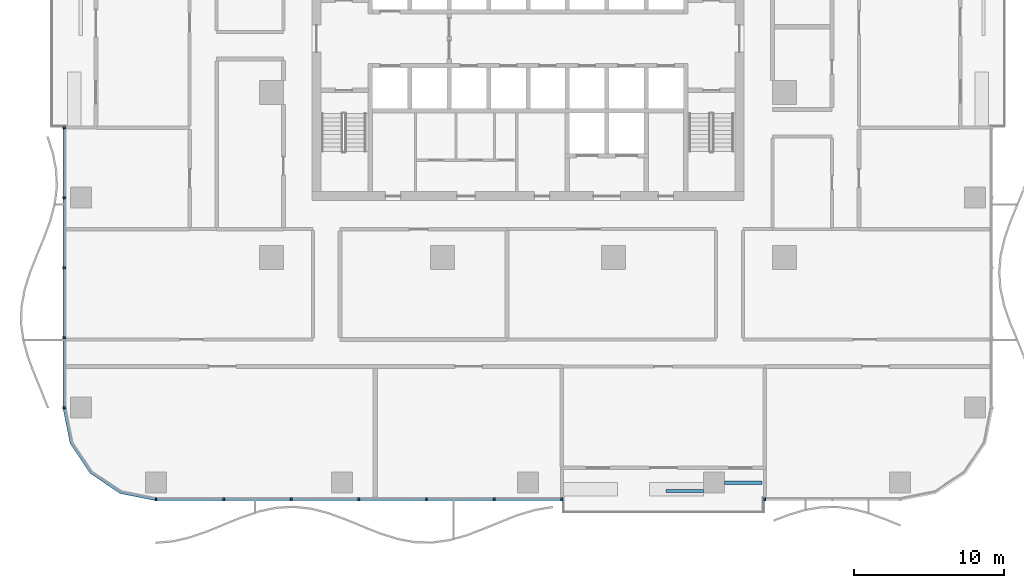
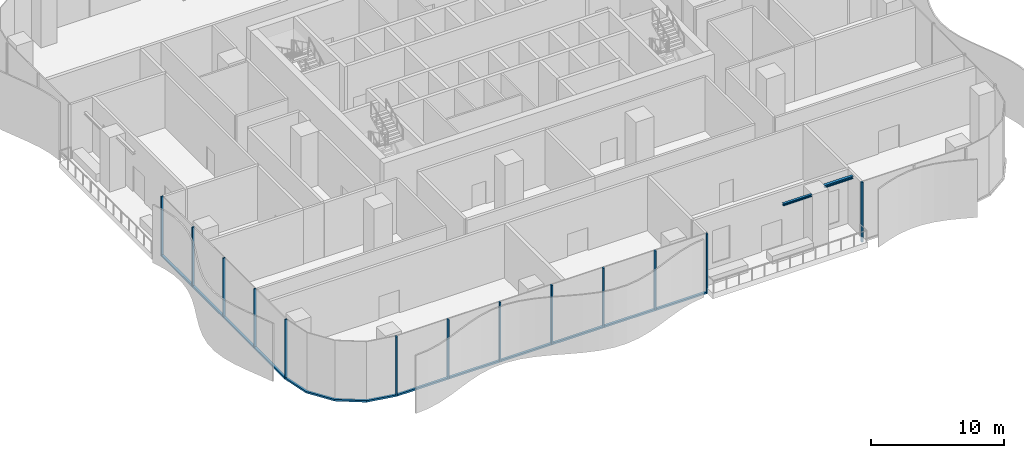
# One storey, part 2 of 20: 24 members, 2 beams, 4 elements without a shape of their own.
"""IFC4 building model written with IfcOpenShell, lengths in metres."""

from ifc_helpers import new_model, si_unit, direction, frame, origin, origin_2d, place, context, subcontext, project, spatial, polyline, rectangle, i_section, outline, extrude, material, material_profile, profile_set, type_object, element, aggregate, save


model = new_model("IFC4")

# Units and contexts
model_context = context("Model", 3, precision=1e-05, world=origin(), true_north=direction((0.0, 1.0)))
body_context = subcontext(model_context, "Body", "Model", "MODEL_VIEW")
ifc_project = project(units=[si_unit("LENGTHUNIT", "METRE"), si_unit("AREAUNIT", "SQUARE_METRE"), si_unit("VOLUMEUNIT", "CUBIC_METRE"), si_unit("PLANEANGLEUNIT", "RADIAN"), si_unit("MASSUNIT", "GRAM", prefix="KILO")], contexts=[model_context])

# Site, building, storey
site_placement = place(None, origin())
site = spatial("IfcSite", under=ifc_project, at=site_placement, CompositionType="ELEMENT")
building_placement = place(site_placement, origin())
building = spatial("IfcBuilding", under=site, at=building_placement, Name="Mopane Tessera Tower", CompositionType="ELEMENT")
storey_placement = place(building_placement, frame((0.0, 0.0, 14.5)))
storey = spatial("IfcBuildingStorey", under=building, at=storey_placement, Name="L02", CompositionType="ELEMENT", Elevation=14.5)

# Curtain wall, members
ifc_material_1 = material(Name="Aluminium frame", Category="aluminium")
curtain_wall_type = type_object("IfcCurtainWallType", Name="Podium unitised wall", PredefinedType="NOTDEFINED", material=ifc_material_1)
curtain_wall_1_placement = place(storey_placement, origin())
curtain_wall_1 = element("IfcCurtainWall", 1, at=curtain_wall_1_placement, inside=storey, type_object=curtain_wall_type, Name="e:cw:L02:S:0", PredefinedType="NOTDEFINED")
ifc_material_2 = material(Name="Aluminium frame", Category="aluminium")
ifc_material_profile_1 = material_profile(ifc_material_2, rectangle(XDim=0.125, YDim=0.199951171875, at=origin_2d()))
ifc_profile_set_1 = profile_set([ifc_material_profile_1], Name="Aluminium frame")
member_type_1 = type_object("IfcMemberType", Name="Aluminium mullion 125 x 200", PredefinedType="MULLION", material=ifc_profile_set_1)
member_1_placement = place(storey_placement, frame((-24.800048828125, -27.10009765625, -0.5), z_axis=(0.0, 0.0, 1.0), x_axis=(1.0, 0.0, 0.0)))
member_1 = element("IfcMember", 2, at=member_1_placement, type_object=member_type_1, Name="e:cw:L02:S:0:mu0", PredefinedType="MULLION", context=body_context, shape_type="SweptSolid", body=[
    extrude(rectangle(XDim=0.125, YDim=0.199951171875, at=origin_2d()), origin(), (0.0, 0.0, 1.0), 5.5),
])
member_2_placement = place(storey_placement, frame((-20.291015625, -27.10009765625, -0.5), z_axis=(0.0, 0.0, 1.0), x_axis=(1.0, 0.0, 0.0)))
member_2 = element("IfcMember", 3, at=member_2_placement, type_object=member_type_1, Name="e:cw:L02:S:0:mu1", PredefinedType="MULLION", context=body_context, shape_type="SweptSolid", body=[
    extrude(rectangle(XDim=0.125, YDim=0.199951171875, at=origin_2d()), origin(), (0.0, 0.0, 1.0), 5.5),
])
member_3_placement = place(storey_placement, frame((-15.78173828125, -27.10009765625, -0.5), z_axis=(0.0, 0.0, 1.0), x_axis=(1.0, 0.0, 0.0)))
member_3 = element("IfcMember", 4, at=member_3_placement, type_object=member_type_1, Name="e:cw:L02:S:0:mu2", PredefinedType="MULLION", context=body_context, shape_type="SweptSolid", body=[
    extrude(rectangle(XDim=0.125, YDim=0.199951171875, at=origin_2d()), origin(), (0.0, 0.0, 1.0), 5.5),
])
member_4_placement = place(storey_placement, frame((-11.272705078125, -27.10009765625, -0.5), z_axis=(0.0, 0.0, 1.0), x_axis=(1.0, 0.0, 0.0)))
member_4 = element("IfcMember", 5, at=member_4_placement, type_object=member_type_1, Name="e:cw:L02:S:0:mu3", PredefinedType="MULLION", context=body_context, shape_type="SweptSolid", body=[
    extrude(rectangle(XDim=0.125, YDim=0.199951171875, at=origin_2d()), origin(), (0.0, 0.0, 1.0), 5.5),
])
member_5_placement = place(storey_placement, frame((-6.763671875, -27.10009765625, -0.5), z_axis=(0.0, 0.0, 1.0), x_axis=(1.0, 0.0, 0.0)))
member_5 = element("IfcMember", 6, at=member_5_placement, type_object=member_type_1, Name="e:cw:L02:S:0:mu4", PredefinedType="MULLION", context=body_context, shape_type="SweptSolid", body=[
    extrude(rectangle(XDim=0.125, YDim=0.199951171875, at=origin_2d()), origin(), (0.0, 0.0, 1.0), 5.5),
])
member_6_placement = place(storey_placement, frame((-2.254638671875, -27.10009765625, -0.5), z_axis=(0.0, 0.0, 1.0), x_axis=(1.0, 0.0, 0.0)))
member_6 = element("IfcMember", 7, at=member_6_placement, type_object=member_type_1, Name="e:cw:L02:S:0:mu5", PredefinedType="MULLION", context=body_context, shape_type="SweptSolid", body=[
    extrude(rectangle(XDim=0.125, YDim=0.199951171875, at=origin_2d()), origin(), (0.0, 0.0, 1.0), 5.5),
])
member_7_placement = place(storey_placement, frame((2.254638671875, -27.10009765625, -0.5), z_axis=(0.0, 0.0, 1.0), x_axis=(1.0, 0.0, 0.0)))
member_7 = element("IfcMember", 8, at=member_7_placement, type_object=member_type_1, Name="e:cw:L02:S:0:mu6", PredefinedType="MULLION", context=body_context, shape_type="SweptSolid", body=[
    extrude(rectangle(XDim=0.125, YDim=0.199951171875, at=origin_2d()), origin(), (0.0, 0.0, 1.0), 5.5),
])

# Curtain wall, member
curtain_wall_2_placement = place(storey_placement, origin())
curtain_wall_2 = element("IfcCurtainWall", 9, at=curtain_wall_2_placement, inside=storey, type_object=curtain_wall_type, Name="e:cw:L02:S:9", PredefinedType="NOTDEFINED")
member_8_placement = place(storey_placement, frame((15.78173828125, -27.10009765625, -0.5), z_axis=(0.0, 0.0, 1.0), x_axis=(1.0, 0.0, 0.0)))
member_8 = element("IfcMember", 10, at=member_8_placement, type_object=member_type_1, Name="e:cw:L02:S:9:mu9", PredefinedType="MULLION", context=body_context, shape_type="SweptSolid", body=[
    extrude(rectangle(XDim=0.125, YDim=0.199951171875, at=origin_2d()), origin(), (0.0, 0.0, 1.0), 5.5),
])
aggregate(curtain_wall_2, [member_8])

# Curtain wall, members
curtain_wall_3_placement = place(storey_placement, origin())
curtain_wall_3 = element("IfcCurtainWall", 11, at=curtain_wall_3_placement, inside=storey, type_object=curtain_wall_type, Name="e:cw:L02:W:5", PredefinedType="NOTDEFINED")
member_9_placement = place(storey_placement, frame((-30.89990234375, -2.333251953125, -0.5), z_axis=(0.0, 0.0, 1.0), x_axis=(0.0, -1.0, 0.0)))
member_9 = element("IfcMember", 12, at=member_9_placement, type_object=member_type_1, Name="e:cw:L02:W:5:mu5", PredefinedType="MULLION", context=body_context, shape_type="SweptSolid", body=[
    extrude(rectangle(XDim=0.125, YDim=0.199951171875, at=origin_2d()), origin(), (0.0, 0.0, 1.0), 5.5),
])
member_10_placement = place(storey_placement, frame((-30.89990234375, -7.0, -0.5), z_axis=(0.0, 0.0, 1.0), x_axis=(0.0, -1.0, 0.0)))
member_10 = element("IfcMember", 13, at=member_10_placement, type_object=member_type_1, Name="e:cw:L02:W:5:mu6", PredefinedType="MULLION", context=body_context, shape_type="SweptSolid", body=[
    extrude(rectangle(XDim=0.125, YDim=0.199951171875, at=origin_2d()), origin(), (0.0, 0.0, 1.0), 5.5),
])
member_11_placement = place(storey_placement, frame((-30.89990234375, -11.666748046875, -0.5), z_axis=(0.0, 0.0, 1.0), x_axis=(0.0, -1.0, 0.0)))
member_11 = element("IfcMember", 14, at=member_11_placement, type_object=member_type_1, Name="e:cw:L02:W:5:mu7", PredefinedType="MULLION", context=body_context, shape_type="SweptSolid", body=[
    extrude(rectangle(XDim=0.125, YDim=0.199951171875, at=origin_2d()), origin(), (0.0, 0.0, 1.0), 5.5),
])
member_12_placement = place(storey_placement, frame((-30.89990234375, -16.333251953125, -0.5), z_axis=(0.0, 0.0, 1.0), x_axis=(0.0, -1.0, 0.0)))
member_12 = element("IfcMember", 15, at=member_12_placement, type_object=member_type_1, Name="e:cw:L02:W:5:mu8", PredefinedType="MULLION", context=body_context, shape_type="SweptSolid", body=[
    extrude(rectangle(XDim=0.125, YDim=0.199951171875, at=origin_2d()), origin(), (0.0, 0.0, 1.0), 5.5),
])
member_13_placement = place(storey_placement, frame((-30.89990234375, -21.0, -0.5), z_axis=(0.0, 0.0, 1.0), x_axis=(0.0, -1.0, 0.0)))
member_13 = element("IfcMember", 16, at=member_13_placement, type_object=member_type_1, Name="e:cw:L02:W:5:mu9", PredefinedType="MULLION", context=body_context, shape_type="SweptSolid", body=[
    extrude(rectangle(XDim=0.125, YDim=0.199951171875, at=origin_2d()), origin(), (0.0, 0.0, 1.0), 5.5),
])

# Member
ifc_material_3 = material(Name="Aluminium frame", Category="aluminium")
ifc_material_profile_2 = material_profile(ifc_material_3, rectangle(XDim=0.199951171875, YDim=0.159912109375, at=origin_2d()))
ifc_profile_set_2 = profile_set([ifc_material_profile_2], Name="Aluminium frame")
member_type_2 = type_object("IfcMemberType", Name="Aluminium transom 200 x 160", PredefinedType="USERDEFINED", material=ifc_profile_set_2)
member_14_placement = place(storey_placement, frame((-24.737548828125, -27.10009765625, -0.419921875), z_axis=(1.0, 0.0, 0.0), x_axis=(0.0, 1.0, 0.0)))
member_14 = element("IfcMember", 17, at=member_14_placement, type_object=member_type_2, Name="e:cw:L02:S:0:tr0", ObjectType="TRANSOM", PredefinedType="USERDEFINED", context=body_context, shape_type="SweptSolid", body=[
    extrude(rectangle(XDim=0.199951171875, YDim=0.159912109375, at=origin_2d()), origin(), (0.0, 0.0, 1.0), 4.384033203125),
])

member_15_placement = place(storey_placement, frame((-20.228515625, -27.10009765625, -0.419921875), z_axis=(1.0, 0.0, 0.0), x_axis=(0.0, 1.0, 0.0)))
member_15 = element("IfcMember", 18, at=member_15_placement, type_object=member_type_2, Name="e:cw:L02:S:0:tr1", ObjectType="TRANSOM", PredefinedType="USERDEFINED", context=body_context, shape_type="SweptSolid", body=[
    extrude(rectangle(XDim=0.199951171875, YDim=0.159912109375, at=origin_2d()), origin(), (0.0, 0.0, 1.0), 4.38427734375),
])

member_16_placement = place(storey_placement, frame((-15.71923828125, -27.10009765625, -0.419921875), z_axis=(1.0, 0.0, 0.0), x_axis=(0.0, 1.0, 0.0)))
member_16 = element("IfcMember", 19, at=member_16_placement, type_object=member_type_2, Name="e:cw:L02:S:0:tr2", ObjectType="TRANSOM", PredefinedType="USERDEFINED", context=body_context, shape_type="SweptSolid", body=[
    extrude(rectangle(XDim=0.199951171875, YDim=0.159912109375, at=origin_2d()), origin(), (0.0, 0.0, 1.0), 4.384033203125),
])

member_17_placement = place(storey_placement, frame((-11.210205078125, -27.10009765625, -0.419921875), z_axis=(1.0, 0.0, 0.0), x_axis=(0.0, 1.0, 0.0)))
member_17 = element("IfcMember", 20, at=member_17_placement, type_object=member_type_2, Name="e:cw:L02:S:0:tr3", ObjectType="TRANSOM", PredefinedType="USERDEFINED", context=body_context, shape_type="SweptSolid", body=[
    extrude(rectangle(XDim=0.199951171875, YDim=0.159912109375, at=origin_2d()), origin(), (0.0, 0.0, 1.0), 4.384033203125),
])

member_18_placement = place(storey_placement, frame((-6.701171875, -27.10009765625, -0.419921875), z_axis=(1.0, 0.0, 0.0), x_axis=(0.0, 1.0, 0.0)))
member_18 = element("IfcMember", 21, at=member_18_placement, type_object=member_type_2, Name="e:cw:L02:S:0:tr4", ObjectType="TRANSOM", PredefinedType="USERDEFINED", context=body_context, shape_type="SweptSolid", body=[
    extrude(rectangle(XDim=0.199951171875, YDim=0.159912109375, at=origin_2d()), origin(), (0.0, 0.0, 1.0), 4.384033203125),
])

member_19_placement = place(storey_placement, frame((-2.192138671875, -27.10009765625, -0.419921875), z_axis=(1.0, 0.0, 0.0), x_axis=(0.0, 1.0, 0.0)))
member_19 = element("IfcMember", 22, at=member_19_placement, type_object=member_type_2, Name="e:cw:L02:S:0:tr5", ObjectType="TRANSOM", PredefinedType="USERDEFINED", context=body_context, shape_type="SweptSolid", body=[
    extrude(rectangle(XDim=0.199951171875, YDim=0.159912109375, at=origin_2d()), origin(), (0.0, 0.0, 1.0), 4.38427734375),
])

aggregate(curtain_wall_1, [member_1, member_2, member_3, member_4, member_5, member_6, member_7, member_14, member_15, member_16, member_17, member_18, member_19])

member_20_placement = place(storey_placement, frame((-30.89990234375, -2.395751953125, -0.419921875), z_axis=(0.0, -1.0, 0.0), x_axis=(1.0, 0.0, 0.0)))
member_20 = element("IfcMember", 23, at=member_20_placement, type_object=member_type_2, Name="e:cw:L02:W:5:tr5", ObjectType="TRANSOM", PredefinedType="USERDEFINED", context=body_context, shape_type="SweptSolid", body=[
    extrude(rectangle(XDim=0.199951171875, YDim=0.159912109375, at=origin_2d()), origin(), (0.0, 0.0, 1.0), 4.541748046875),
])

member_21_placement = place(storey_placement, frame((-30.89990234375, -7.0625, -0.419921875), z_axis=(0.0, -1.0, 0.0), x_axis=(1.0, 0.0, 0.0)))
member_21 = element("IfcMember", 24, at=member_21_placement, type_object=member_type_2, Name="e:cw:L02:W:5:tr6", ObjectType="TRANSOM", PredefinedType="USERDEFINED", context=body_context, shape_type="SweptSolid", body=[
    extrude(rectangle(XDim=0.199951171875, YDim=0.159912109375, at=origin_2d()), origin(), (0.0, 0.0, 1.0), 4.541748046875),
])

member_22_placement = place(storey_placement, frame((-30.89990234375, -11.729248046875, -0.419921875), z_axis=(0.0, -1.0, 0.0), x_axis=(1.0, 0.0, 0.0)))
member_22 = element("IfcMember", 25, at=member_22_placement, type_object=member_type_2, Name="e:cw:L02:W:5:tr7", ObjectType="TRANSOM", PredefinedType="USERDEFINED", context=body_context, shape_type="SweptSolid", body=[
    extrude(rectangle(XDim=0.199951171875, YDim=0.159912109375, at=origin_2d()), origin(), (0.0, 0.0, 1.0), 4.54150390625),
])

member_23_placement = place(storey_placement, frame((-30.89990234375, -16.395751953125, -0.419921875), z_axis=(0.0, -1.0, 0.0), x_axis=(1.0, 0.0, 0.0)))
member_23 = element("IfcMember", 26, at=member_23_placement, type_object=member_type_2, Name="e:cw:L02:W:5:tr8", ObjectType="TRANSOM", PredefinedType="USERDEFINED", context=body_context, shape_type="SweptSolid", body=[
    extrude(rectangle(XDim=0.199951171875, YDim=0.159912109375, at=origin_2d()), origin(), (0.0, 0.0, 1.0), 4.541748046875),
])

aggregate(curtain_wall_3, [member_9, member_10, member_11, member_12, member_13, member_20, member_21, member_22, member_23])

# Curtain wall, member
curtain_wall_4_placement = place(storey_placement, origin())
curtain_wall_4 = element("IfcCurtainWall", 27, at=curtain_wall_4_placement, inside=storey, type_object=curtain_wall_type, Name="e:cw:L02:CW", PredefinedType="NOTDEFINED")
member_24_placement = place(storey_placement, frame((0.0, 0.0, -0.5)))
member_24 = element("IfcMember", 28, at=member_24_placement, type_object=member_type_2, Name="e:cw:L02:CW:tr", ObjectType="TRANSOM", PredefinedType="USERDEFINED", context=body_context, shape_type="SweptSolid", body=[
    extrude(outline(polyline([(-30.800048828125, -21.0), (-30.34326171875, -23.296142578125), (-29.042724609375, -25.24267578125), (-27.09619140625, -26.543212890625), (-24.800048828125, -27.0), (-24.800048828125, -27.199951171875), (-27.172607421875, -26.72802734375), (-29.18408203125, -25.384033203125), (-30.528076171875, -23.37255859375), (-31.0, -21.0), (-30.800048828125, -21.0)])), origin(), (0.0, 0.0, 1.0), 0.159912109375),
])
aggregate(curtain_wall_4, [member_24])

# Beams
ifc_material_4 = material(Name="Structural steel S460", Category="steel")
ifc_material_profile_3 = material_profile(ifc_material_4, i_section(OverallWidth=0.239990234375, OverallDepth=0.239990234375, WebThickness=0.010009765625, FlangeThickness=0.01708984375, FilletRadius=0.02099609375, at=origin_2d()))
ifc_profile_set_3 = profile_set([ifc_material_profile_3], Name="Structural steel S460")
beam_type_1 = type_object("IfcBeamType", Name="Terrace spandrel beam HE 240 B", PredefinedType="SPANDREL", material=ifc_profile_set_3)
beam_1_placement = place(storey_placement, frame((13.102783203125, -26.0, 4.8798828125), z_axis=(1.0, 0.0, 0.0), x_axis=(0.0, 1.0, 0.0)))
element("IfcBeam", 29, at=beam_1_placement, inside=storey, type_object=beam_type_1, Name="Terrace spandrel beam N1 L03", PredefinedType="SPANDREL", context=body_context, shape_type="SweptSolid", body=[
    extrude(i_section(OverallWidth=0.239990234375, OverallDepth=0.239990234375, WebThickness=0.010009765625, FlangeThickness=0.01708984375, FilletRadius=0.02099609375, at=origin_2d()), origin(), (0.0, 0.0, 1.0), 2.5),
])
ifc_material_5 = material(Name="Structural steel S460", Category="steel")
ifc_material_profile_4 = material_profile(ifc_material_5, i_section(OverallWidth=0.199951171875, OverallDepth=0.199951171875, WebThickness=0.009033203125, FlangeThickness=0.014892578125, FilletRadius=0.01806640625, at=origin_2d()))
ifc_profile_set_4 = profile_set([ifc_material_profile_4], Name="Structural steel S460")
beam_type_2 = type_object("IfcBeamType", Name="Terrace trimmer beam HE 200 B", PredefinedType="BEAM", material=ifc_profile_set_4)
beam_2_placement = place(storey_placement, frame((11.697021484375, -26.56005859375, 4.89990234375), z_axis=(-1.0, 0.0, 0.0), x_axis=(0.0, -1.0, 0.0)))
element("IfcBeam", 30, at=beam_2_placement, inside=storey, type_object=beam_type_2, Name="Terrace trimmer beam N1 L03", PredefinedType="BEAM", context=body_context, shape_type="SweptSolid", body=[
    extrude(i_section(OverallWidth=0.199951171875, OverallDepth=0.199951171875, WebThickness=0.009033203125, FlangeThickness=0.014892578125, FilletRadius=0.01806640625, at=origin_2d()), origin(), (0.0, 0.0, 1.0), 2.5),
])

save(model, "model.ifc")
